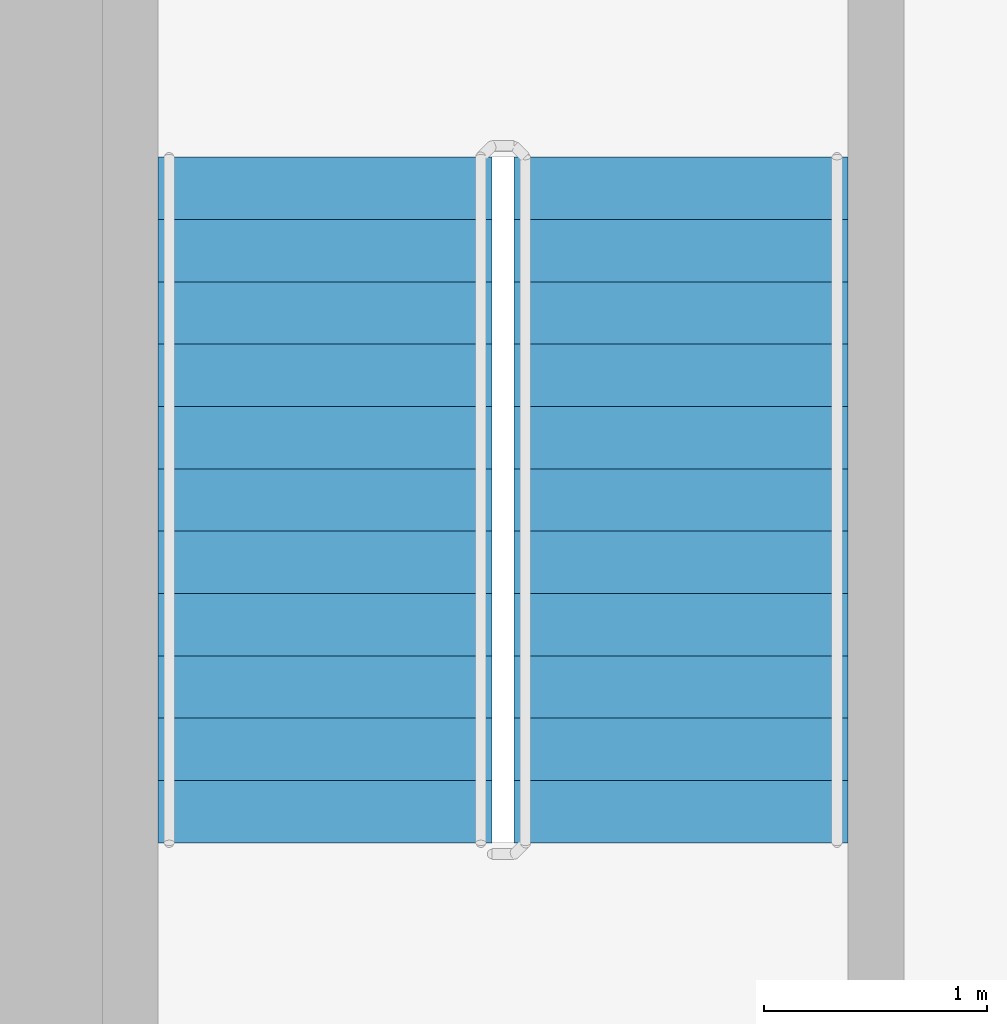
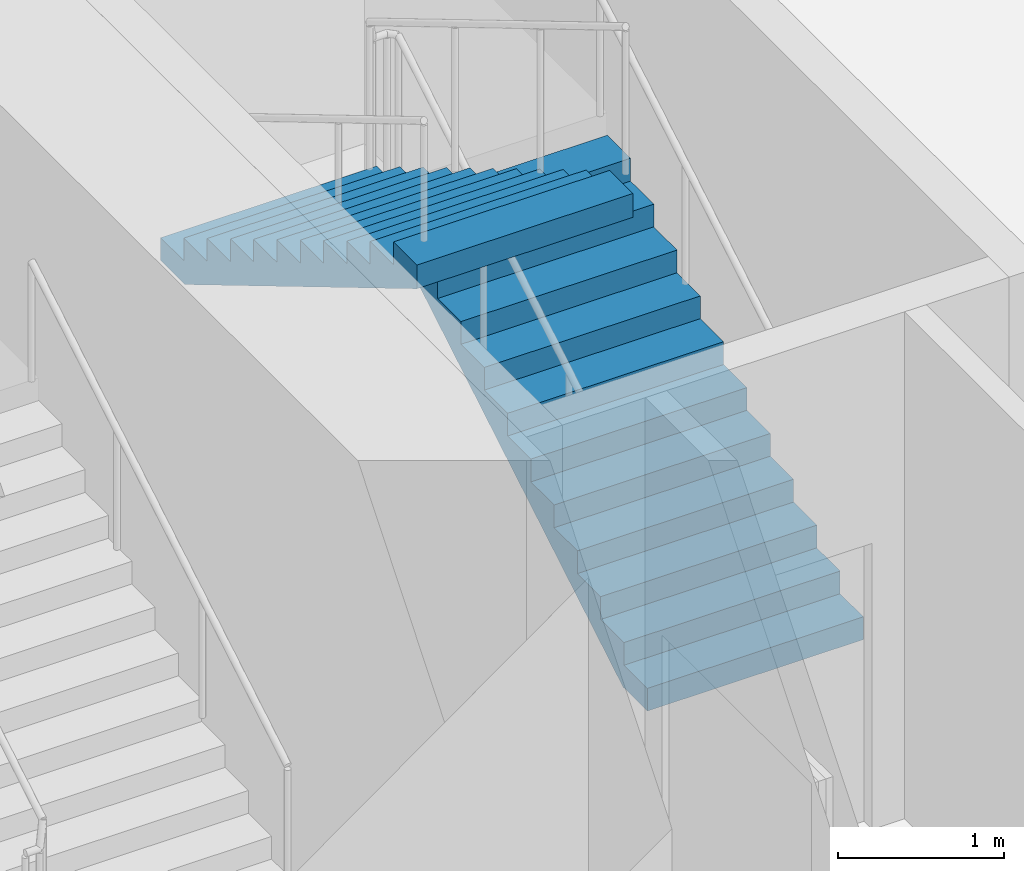
# One storey, part 19 of 28: 2 stair flights, 1 element without a shape of its own.
"""IFC4 building model written with IfcOpenShell, lengths in metres."""

from ifc_helpers import new_model, si_unit, direction, frame, origin, place, context, subcontext, project, spatial, triangles, source, transform, mapped, material, type_object, element, aggregate, save


model = new_model("IFC4")

# Units and contexts
model_context = context("Model", 3, precision=1e-05, world=origin(), true_north=direction((0.0, 1.0)))
body_context = subcontext(model_context, "Body", "Model", "MODEL_VIEW")
ifc_project = project(units=[si_unit("LENGTHUNIT", "METRE"), si_unit("AREAUNIT", "SQUARE_METRE"), si_unit("VOLUMEUNIT", "CUBIC_METRE"), si_unit("PLANEANGLEUNIT", "RADIAN"), si_unit("MASSUNIT", "GRAM", prefix="KILO")], contexts=[model_context])

# Site, building, storey
site_placement = place(None, origin())
site = spatial("IfcSite", under=ifc_project, at=site_placement, CompositionType="ELEMENT")
building_placement = place(site_placement, origin())
building = spatial("IfcBuilding", under=site, at=building_placement, Name="Kilnfold Tower and Market Hall", CompositionType="ELEMENT")
storey_placement = place(building_placement, frame((0.0, 0.0, 87.199951171875)))
storey = spatial("IfcBuildingStorey", under=building, at=storey_placement, Name="L20", CompositionType="ELEMENT", Elevation=87.199951171875)

# Stair, stair flights
ifc_material_1 = material(Name="Concrete C40/50", Category="concrete")
stair_type = type_object("IfcStairType", Name="CORE STAIR 1500", PredefinedType="HALF_TURN_STAIR", material=ifc_material_1)
stair_placement = place(storey_placement, origin())
stair = element("IfcStair", 1, at=stair_placement, inside=storey, type_object=stair_type, Name="L20 ST5", PredefinedType="HALF_TURN_STAIR")
ifc_material_2 = material(Name="Concrete C40/50", Category="concrete")
stair_flight_type = type_object("IfcStairFlightType", Name="CORE STAIR FLIGHT 1500", PredefinedType="STRAIGHT", material=ifc_material_2)
shared_shape = source(origin(), body_context, "Body", "Tessellation", [
    triangles([(0.0, 0.75, 0.0), (0.0, 0.65625, 0.0), (0.0, 0.5625, 0.0), (0.0, 0.46875, 0.0), (0.0, 0.375, 0.0), (0.0, 0.28125, 0.0), (0.0, 0.1875, 0.0), (0.0, 0.09375, 0.0), (0.0, 0.0, 0.0), (0.0, -0.09375, 0.0), (0.0, -0.1875, 0.0), (0.0, -0.28125, 0.0), (0.0, -0.375, 0.0), (0.0, -0.46875, 0.0), (0.0, -0.5625, 0.0), (0.0, -0.65625, 0.0), (0.0, -0.75, 0.0), (0.0, 0.75, 0.166748046875), (0.0, 0.65625, 0.166748046875), (0.0, 0.5625, 0.166748046875), (0.0, 0.46875, 0.166748046875), (0.0, 0.375, 0.166748046875), (0.0, 0.28125, 0.166748046875), (0.0, 0.1875, 0.166748046875), (0.0, 0.09375, 0.166748046875), (0.0, 0.0, 0.166748046875), (0.0, -0.09375, 0.166748046875), (0.0, -0.1875, 0.166748046875), (0.0, -0.28125, 0.166748046875), (0.0, -0.375, 0.166748046875), (0.0, -0.46875, 0.166748046875), (0.0, -0.5625, 0.166748046875), (0.0, -0.65625, 0.166748046875), (0.0, -0.75, 0.166748046875), (0.280029296875, 0.75, 0.166748046875), (0.280029296875, 0.65625, 0.166748046875), (0.280029296875, 0.5625, 0.166748046875), (0.280029296875, 0.46875, 0.166748046875), (0.280029296875, 0.375, 0.166748046875), (0.280029296875, 0.28125, 0.166748046875), (0.280029296875, 0.1875, 0.166748046875), (0.280029296875, 0.09375, 0.166748046875), (0.280029296875, 0.0, 0.166748046875), (0.280029296875, -0.09375, 0.166748046875), (0.280029296875, -0.1875, 0.166748046875), (0.280029296875, -0.28125, 0.166748046875), (0.280029296875, -0.375, 0.166748046875), (0.280029296875, -0.46875, 0.166748046875), (0.280029296875, -0.5625, 0.166748046875), (0.280029296875, -0.65625, 0.166748046875), (0.280029296875, -0.75, 0.166748046875), (0.280029296875, 0.75, 0.333251953125), (0.280029296875, 0.65625, 0.333251953125), (0.280029296875, 0.5625, 0.333251953125), (0.280029296875, 0.46875, 0.333251953125), (0.280029296875, 0.375, 0.333251953125), (0.280029296875, 0.28125, 0.333251953125), (0.280029296875, 0.1875, 0.333251953125), (0.280029296875, 0.09375, 0.333251953125), (0.280029296875, 0.0, 0.333251953125), (0.280029296875, -0.09375, 0.333251953125), (0.280029296875, -0.1875, 0.333251953125), (0.280029296875, -0.28125, 0.333251953125), (0.280029296875, -0.375, 0.333251953125), (0.280029296875, -0.46875, 0.333251953125), (0.280029296875, -0.5625, 0.333251953125), (0.280029296875, -0.65625, 0.333251953125), (0.280029296875, -0.75, 0.333251953125), (0.56005859375, 0.75, 0.333251953125), (0.56005859375, 0.65625, 0.333251953125), (0.56005859375, 0.5625, 0.333251953125), (0.56005859375, 0.46875, 0.333251953125), (0.56005859375, 0.375, 0.333251953125), (0.56005859375, 0.28125, 0.333251953125), (0.56005859375, 0.1875, 0.333251953125), (0.56005859375, 0.09375, 0.333251953125), (0.56005859375, 0.0, 0.333251953125), (0.56005859375, -0.09375, 0.333251953125), (0.56005859375, -0.1875, 0.333251953125), (0.56005859375, -0.28125, 0.333251953125), (0.56005859375, -0.375, 0.333251953125), (0.56005859375, -0.46875, 0.333251953125), (0.56005859375, -0.5625, 0.333251953125), (0.56005859375, -0.65625, 0.333251953125), (0.56005859375, -0.75, 0.333251953125), (0.56005859375, 0.75, 0.5), (0.56005859375, 0.65625, 0.5), (0.56005859375, 0.5625, 0.5), (0.56005859375, 0.46875, 0.5), (0.56005859375, 0.375, 0.5), (0.56005859375, 0.28125, 0.5), (0.56005859375, 0.1875, 0.5), (0.56005859375, 0.09375, 0.5), (0.56005859375, 0.0, 0.5), (0.56005859375, -0.09375, 0.5), (0.56005859375, -0.1875, 0.5), (0.56005859375, -0.28125, 0.5), (0.56005859375, -0.375, 0.5), (0.56005859375, -0.46875, 0.5), (0.56005859375, -0.5625, 0.5), (0.56005859375, -0.65625, 0.5), (0.56005859375, -0.75, 0.5), (0.840087890625, 0.75, 0.5), (0.840087890625, 0.65625, 0.5), (0.840087890625, 0.5625, 0.5), (0.840087890625, 0.46875, 0.5), (0.840087890625, 0.375, 0.5), (0.840087890625, 0.28125, 0.5), (0.840087890625, 0.1875, 0.5), (0.840087890625, 0.09375, 0.5), (0.840087890625, 0.0, 0.5), (0.840087890625, -0.09375, 0.5), (0.840087890625, -0.1875, 0.5), (0.840087890625, -0.28125, 0.5), (0.840087890625, -0.375, 0.5), (0.840087890625, -0.46875, 0.5), (0.840087890625, -0.5625, 0.5), (0.840087890625, -0.65625, 0.5), (0.840087890625, -0.75, 0.5), (0.840087890625, 0.75, 0.666748046875), (0.840087890625, 0.65625, 0.666748046875), (0.840087890625, 0.5625, 0.666748046875), (0.840087890625, 0.46875, 0.666748046875), (0.840087890625, 0.375, 0.666748046875), (0.840087890625, 0.28125, 0.666748046875), (0.840087890625, 0.1875, 0.666748046875), (0.840087890625, 0.09375, 0.666748046875), (0.840087890625, 0.0, 0.666748046875), (0.840087890625, -0.09375, 0.666748046875), (0.840087890625, -0.1875, 0.666748046875), (0.840087890625, -0.28125, 0.666748046875), (0.840087890625, -0.375, 0.666748046875), (0.840087890625, -0.46875, 0.666748046875), (0.840087890625, -0.5625, 0.666748046875), (0.840087890625, -0.65625, 0.666748046875), (0.840087890625, -0.75, 0.666748046875), (1.1201171875, 0.75, 0.666748046875), (1.1201171875, 0.65625, 0.666748046875), (1.1201171875, 0.5625, 0.666748046875), (1.1201171875, 0.46875, 0.666748046875), (1.1201171875, 0.375, 0.666748046875), (1.1201171875, 0.28125, 0.666748046875), (1.1201171875, 0.1875, 0.666748046875), (1.1201171875, 0.09375, 0.666748046875), (1.1201171875, 0.0, 0.666748046875), (1.1201171875, -0.09375, 0.666748046875), (1.1201171875, -0.1875, 0.666748046875), (1.1201171875, -0.28125, 0.666748046875), (1.1201171875, -0.375, 0.666748046875), (1.1201171875, -0.46875, 0.666748046875), (1.1201171875, -0.5625, 0.666748046875), (1.1201171875, -0.65625, 0.666748046875), (1.1201171875, -0.75, 0.666748046875), (1.1201171875, 0.75, 0.833251953125), (1.1201171875, 0.65625, 0.833251953125), (1.1201171875, 0.5625, 0.833251953125), (1.1201171875, 0.46875, 0.833251953125), (1.1201171875, 0.375, 0.833251953125), (1.1201171875, 0.28125, 0.833251953125), (1.1201171875, 0.1875, 0.833251953125), (1.1201171875, 0.09375, 0.833251953125), (1.1201171875, 0.0, 0.833251953125), (1.1201171875, -0.09375, 0.833251953125), (1.1201171875, -0.1875, 0.833251953125), (1.1201171875, -0.28125, 0.833251953125), (1.1201171875, -0.375, 0.833251953125), (1.1201171875, -0.46875, 0.833251953125), (1.1201171875, -0.5625, 0.833251953125), (1.1201171875, -0.65625, 0.833251953125), (1.1201171875, -0.75, 0.833251953125), (1.39990234375, 0.75, 0.833251953125), (1.39990234375, 0.65625, 0.833251953125), (1.39990234375, 0.5625, 0.833251953125), (1.39990234375, 0.46875, 0.833251953125), (1.39990234375, 0.375, 0.833251953125), (1.39990234375, 0.28125, 0.833251953125), (1.39990234375, 0.1875, 0.833251953125), (1.39990234375, 0.09375, 0.833251953125), (1.39990234375, 0.0, 0.833251953125), (1.39990234375, -0.09375, 0.833251953125), (1.39990234375, -0.1875, 0.833251953125), (1.39990234375, -0.28125, 0.833251953125), (1.39990234375, -0.375, 0.833251953125), (1.39990234375, -0.46875, 0.833251953125), (1.39990234375, -0.5625, 0.833251953125), (1.39990234375, -0.65625, 0.833251953125), (1.39990234375, -0.75, 0.833251953125), (1.39990234375, 0.75, 1.0), (1.39990234375, 0.65625, 1.0), (1.39990234375, 0.5625, 1.0), (1.39990234375, 0.46875, 1.0), (1.39990234375, 0.375, 1.0), (1.39990234375, 0.28125, 1.0), (1.39990234375, 0.1875, 1.0), (1.39990234375, 0.09375, 1.0), (1.39990234375, 0.0, 1.0), (1.39990234375, -0.09375, 1.0), (1.39990234375, -0.1875, 1.0), (1.39990234375, -0.28125, 1.0), (1.39990234375, -0.375, 1.0), (1.39990234375, -0.46875, 1.0), (1.39990234375, -0.5625, 1.0), (1.39990234375, -0.65625, 1.0), (1.39990234375, -0.75, 1.0), (1.679931640625, 0.75, 1.0), (1.679931640625, 0.65625, 1.0), (1.679931640625, 0.5625, 1.0), (1.679931640625, 0.46875, 1.0), (1.679931640625, 0.375, 1.0), (1.679931640625, 0.28125, 1.0), (1.679931640625, 0.1875, 1.0), (1.679931640625, 0.09375, 1.0), (1.679931640625, 0.0, 1.0), (1.679931640625, -0.09375, 1.0), (1.679931640625, -0.1875, 1.0), (1.679931640625, -0.28125, 1.0), (1.679931640625, -0.375, 1.0), (1.679931640625, -0.46875, 1.0), (1.679931640625, -0.5625, 1.0), (1.679931640625, -0.65625, 1.0), (1.679931640625, -0.75, 1.0), (1.679931640625, 0.75, 1.166748046875), (1.679931640625, 0.65625, 1.166748046875), (1.679931640625, 0.5625, 1.166748046875), (1.679931640625, 0.46875, 1.166748046875), (1.679931640625, 0.375, 1.166748046875), (1.679931640625, 0.28125, 1.166748046875), (1.679931640625, 0.1875, 1.166748046875), (1.679931640625, 0.09375, 1.166748046875), (1.679931640625, 0.0, 1.166748046875), (1.679931640625, -0.09375, 1.166748046875), (1.679931640625, -0.1875, 1.166748046875), (1.679931640625, -0.28125, 1.166748046875), (1.679931640625, -0.375, 1.166748046875), (1.679931640625, -0.46875, 1.166748046875), (1.679931640625, -0.5625, 1.166748046875), (1.679931640625, -0.65625, 1.166748046875), (1.679931640625, -0.75, 1.166748046875), (1.9599609375, 0.75, 1.166748046875), (1.9599609375, 0.65625, 1.166748046875), (1.9599609375, 0.5625, 1.166748046875), (1.9599609375, 0.46875, 1.166748046875), (1.9599609375, 0.375, 1.166748046875), (1.9599609375, 0.28125, 1.166748046875), (1.9599609375, 0.1875, 1.166748046875), (1.9599609375, 0.09375, 1.166748046875), (1.9599609375, 0.0, 1.166748046875), (1.9599609375, -0.09375, 1.166748046875), (1.9599609375, -0.1875, 1.166748046875), (1.9599609375, -0.28125, 1.166748046875), (1.9599609375, -0.375, 1.166748046875), (1.9599609375, -0.46875, 1.166748046875), (1.9599609375, -0.5625, 1.166748046875), (1.9599609375, -0.65625, 1.166748046875), (1.9599609375, -0.75, 1.166748046875), (1.9599609375, 0.75, 1.333251953125), (1.9599609375, 0.65625, 1.333251953125), (1.9599609375, 0.5625, 1.333251953125), (1.9599609375, 0.46875, 1.333251953125), (1.9599609375, 0.375, 1.333251953125), (1.9599609375, 0.28125, 1.333251953125), (1.9599609375, 0.1875, 1.333251953125), (1.9599609375, 0.09375, 1.333251953125), (1.9599609375, 0.0, 1.333251953125), (1.9599609375, -0.09375, 1.333251953125), (1.9599609375, -0.1875, 1.333251953125), (1.9599609375, -0.28125, 1.333251953125), (1.9599609375, -0.375, 1.333251953125), (1.9599609375, -0.46875, 1.333251953125), (1.9599609375, -0.5625, 1.333251953125), (1.9599609375, -0.65625, 1.333251953125), (1.9599609375, -0.75, 1.333251953125), (2.239990234375, 0.75, 1.333251953125), (2.239990234375, 0.65625, 1.333251953125), (2.239990234375, 0.5625, 1.333251953125), (2.239990234375, 0.46875, 1.333251953125), (2.239990234375, 0.375, 1.333251953125), (2.239990234375, 0.28125, 1.333251953125), (2.239990234375, 0.1875, 1.333251953125), (2.239990234375, 0.09375, 1.333251953125), (2.239990234375, 0.0, 1.333251953125), (2.239990234375, -0.09375, 1.333251953125), (2.239990234375, -0.1875, 1.333251953125), (2.239990234375, -0.28125, 1.333251953125), (2.239990234375, -0.375, 1.333251953125), (2.239990234375, -0.46875, 1.333251953125), (2.239990234375, -0.5625, 1.333251953125), (2.239990234375, -0.65625, 1.333251953125), (2.239990234375, -0.75, 1.333251953125), (2.239990234375, 0.75, 1.5), (2.239990234375, 0.65625, 1.5), (2.239990234375, 0.5625, 1.5), (2.239990234375, 0.46875, 1.5), (2.239990234375, 0.375, 1.5), (2.239990234375, 0.28125, 1.5), (2.239990234375, 0.1875, 1.5), (2.239990234375, 0.09375, 1.5), (2.239990234375, 0.0, 1.5), (2.239990234375, -0.09375, 1.5), (2.239990234375, -0.1875, 1.5), (2.239990234375, -0.28125, 1.5), (2.239990234375, -0.375, 1.5), (2.239990234375, -0.46875, 1.5), (2.239990234375, -0.5625, 1.5), (2.239990234375, -0.65625, 1.5), (2.239990234375, -0.75, 1.5), (2.52001953125, 0.75, 1.5), (2.52001953125, 0.65625, 1.5), (2.52001953125, 0.5625, 1.5), (2.52001953125, 0.46875, 1.5), (2.52001953125, 0.375, 1.5), (2.52001953125, 0.28125, 1.5), (2.52001953125, 0.1875, 1.5), (2.52001953125, 0.09375, 1.5), (2.52001953125, 0.0, 1.5), (2.52001953125, -0.09375, 1.5), (2.52001953125, -0.1875, 1.5), (2.52001953125, -0.28125, 1.5), (2.52001953125, -0.375, 1.5), (2.52001953125, -0.46875, 1.5), (2.52001953125, -0.5625, 1.5), (2.52001953125, -0.65625, 1.5), (2.52001953125, -0.75, 1.5), (2.52001953125, 0.75, 1.666748046875), (2.52001953125, 0.65625, 1.666748046875), (2.52001953125, 0.5625, 1.666748046875), (2.52001953125, 0.46875, 1.666748046875), (2.52001953125, 0.375, 1.666748046875), (2.52001953125, 0.28125, 1.666748046875), (2.52001953125, 0.1875, 1.666748046875), (2.52001953125, 0.09375, 1.666748046875), (2.52001953125, 0.0, 1.666748046875), (2.52001953125, -0.09375, 1.666748046875), (2.52001953125, -0.1875, 1.666748046875), (2.52001953125, -0.28125, 1.666748046875), (2.52001953125, -0.375, 1.666748046875), (2.52001953125, -0.46875, 1.666748046875), (2.52001953125, -0.5625, 1.666748046875), (2.52001953125, -0.65625, 1.666748046875), (2.52001953125, -0.75, 1.666748046875), (2.800048828125, 0.75, 1.666748046875), (2.800048828125, 0.65625, 1.666748046875), (2.800048828125, 0.5625, 1.666748046875), (2.800048828125, 0.46875, 1.666748046875), (2.800048828125, 0.375, 1.666748046875), (2.800048828125, 0.28125, 1.666748046875), (2.800048828125, 0.1875, 1.666748046875), (2.800048828125, 0.09375, 1.666748046875), (2.800048828125, 0.0, 1.666748046875), (2.800048828125, -0.09375, 1.666748046875), (2.800048828125, -0.1875, 1.666748046875), (2.800048828125, -0.28125, 1.666748046875), (2.800048828125, -0.375, 1.666748046875), (2.800048828125, -0.46875, 1.666748046875), (2.800048828125, -0.5625, 1.666748046875), (2.800048828125, -0.65625, 1.666748046875), (2.800048828125, -0.75, 1.666748046875), (2.800048828125, 0.75, 1.833251953125), (2.800048828125, 0.65625, 1.833251953125), (2.800048828125, 0.5625, 1.833251953125), (2.800048828125, 0.46875, 1.833251953125), (2.800048828125, 0.375, 1.833251953125), (2.800048828125, 0.28125, 1.833251953125), (2.800048828125, 0.1875, 1.833251953125), (2.800048828125, 0.09375, 1.833251953125), (2.800048828125, 0.0, 1.833251953125), (2.800048828125, -0.09375, 1.833251953125), (2.800048828125, -0.1875, 1.833251953125), (2.800048828125, -0.28125, 1.833251953125), (2.800048828125, -0.375, 1.833251953125), (2.800048828125, -0.46875, 1.833251953125), (2.800048828125, -0.5625, 1.833251953125), (2.800048828125, -0.65625, 1.833251953125), (2.800048828125, -0.75, 1.833251953125), (3.080078125, 0.75, 1.833251953125), (3.080078125, 0.65625, 1.833251953125), (3.080078125, 0.5625, 1.833251953125), (3.080078125, 0.46875, 1.833251953125), (3.080078125, 0.375, 1.833251953125), (3.080078125, 0.28125, 1.833251953125), (3.080078125, 0.1875, 1.833251953125), (3.080078125, 0.09375, 1.833251953125), (3.080078125, 0.0, 1.833251953125), (3.080078125, -0.09375, 1.833251953125), (3.080078125, -0.1875, 1.833251953125), (3.080078125, -0.28125, 1.833251953125), (3.080078125, -0.375, 1.833251953125), (3.080078125, -0.46875, 1.833251953125), (3.080078125, -0.5625, 1.833251953125), (3.080078125, -0.65625, 1.833251953125), (3.080078125, -0.75, 1.833251953125), (3.080078125, 0.75, 1.658935546875), (3.080078125, 0.65625, 1.658935546875), (3.080078125, 0.5625, 1.658935546875), (3.080078125, 0.46875, 1.658935546875), (3.080078125, 0.375, 1.658935546875), (3.080078125, 0.28125, 1.658935546875), (3.080078125, 0.1875, 1.658935546875), (3.080078125, 0.09375, 1.658935546875), (3.080078125, 0.0, 1.658935546875), (3.080078125, -0.09375, 1.658935546875), (3.080078125, -0.1875, 1.658935546875), (3.080078125, -0.28125, 1.658935546875), (3.080078125, -0.375, 1.658935546875), (3.080078125, -0.46875, 1.658935546875), (3.080078125, -0.5625, 1.658935546875), (3.080078125, -0.65625, 1.658935546875), (3.080078125, -0.75, 1.658935546875), (0.29296875, 0.75, 0.0), (0.29296875, 0.65625, 0.0), (0.29296875, 0.5625, 0.0), (0.29296875, 0.46875, 0.0), (0.29296875, 0.375, 0.0), (0.29296875, 0.28125, 0.0), (0.29296875, 0.1875, 0.0), (0.29296875, 0.09375, 0.0), (0.29296875, 0.0, 0.0), (0.29296875, -0.09375, 0.0), (0.29296875, -0.1875, 0.0), (0.29296875, -0.28125, 0.0), (0.29296875, -0.375, 0.0), (0.29296875, -0.46875, 0.0), (0.29296875, -0.5625, 0.0), (0.29296875, -0.65625, 0.0), (0.29296875, -0.75, 0.0)], [[1, 392, 409], [17, 425, 408], [392, 358, 375], [408, 391, 374], [392, 341, 358], [408, 374, 357], [392, 324, 341], [408, 357, 340], [392, 307, 324], [408, 340, 323], [307, 273, 290], [323, 306, 289], [392, 273, 307], [408, 323, 289], [273, 239, 256], [289, 272, 255], [392, 239, 273], [408, 289, 255], [239, 205, 222], [255, 238, 221], [392, 205, 239], [408, 255, 221], [205, 171, 188], [221, 204, 187], [392, 171, 205], [408, 221, 187], [171, 137, 154], [187, 170, 153], [392, 137, 171], [408, 187, 153], [137, 103, 120], [153, 136, 119], [392, 103, 137], [408, 153, 119], [103, 69, 86], [119, 102, 85], [392, 69, 103], [408, 119, 85], [1, 69, 392], [17, 408, 85], [69, 35, 52], [85, 68, 51], [1, 35, 69], [17, 85, 51], [35, 1, 18], [51, 34, 17], [1, 19, 18], [1, 2, 19], [2, 20, 19], [2, 3, 20], [3, 21, 20], [3, 4, 21], [4, 22, 21], [4, 5, 22], [5, 23, 22], [5, 6, 23], [6, 24, 23], [6, 7, 24], [7, 25, 24], [7, 8, 25], [8, 26, 25], [8, 9, 26], [9, 27, 26], [9, 10, 27], [10, 28, 27], [10, 11, 28], [11, 29, 28], [11, 12, 29], [12, 30, 29], [12, 13, 30], [13, 31, 30], [13, 14, 31], [14, 32, 31], [14, 15, 32], [15, 33, 32], [15, 16, 33], [16, 34, 33], [16, 17, 34], [18, 36, 35], [18, 19, 36], [19, 37, 36], [19, 20, 37], [20, 38, 37], [20, 21, 38], [21, 39, 38], [21, 22, 39], [22, 40, 39], [22, 23, 40], [23, 41, 40], [23, 24, 41], [24, 42, 41], [24, 25, 42], [25, 43, 42], [25, 26, 43], [26, 44, 43], [26, 27, 44], [27, 45, 44], [27, 28, 45], [28, 46, 45], [28, 29, 46], [29, 47, 46], [29, 30, 47], [30, 48, 47], [30, 31, 48], [31, 49, 48], [31, 32, 49], [32, 50, 49], [32, 33, 50], [33, 51, 50], [33, 34, 51], [35, 53, 52], [35, 36, 53], [36, 54, 53], [36, 37, 54], [37, 55, 54], [37, 38, 55], [38, 56, 55], [38, 39, 56], [39, 57, 56], [39, 40, 57], [40, 58, 57], [40, 41, 58], [41, 59, 58], [41, 42, 59], [42, 60, 59], [42, 43, 60], [43, 61, 60], [43, 44, 61], [44, 62, 61], [44, 45, 62], [45, 63, 62], [45, 46, 63], [46, 64, 63], [46, 47, 64], [47, 65, 64], [47, 48, 65], [48, 66, 65], [48, 49, 66], [49, 67, 66], [49, 50, 67], [50, 68, 67], [50, 51, 68], [52, 70, 69], [52, 53, 70], [53, 71, 70], [53, 54, 71], [54, 72, 71], [54, 55, 72], [55, 73, 72], [55, 56, 73], [56, 74, 73], [56, 57, 74], [57, 75, 74], [57, 58, 75], [58, 76, 75], [58, 59, 76], [59, 77, 76], [59, 60, 77], [60, 78, 77], [60, 61, 78], [61, 79, 78], [61, 62, 79], [62, 80, 79], [62, 63, 80], [63, 81, 80], [63, 64, 81], [64, 82, 81], [64, 65, 82], [65, 83, 82], [65, 66, 83], [66, 84, 83], [66, 67, 84], [67, 85, 84], [67, 68, 85], [69, 87, 86], [69, 70, 87], [70, 88, 87], [70, 71, 88], [71, 89, 88], [71, 72, 89], [72, 90, 89], [72, 73, 90], [73, 91, 90], [73, 74, 91], [74, 92, 91], [74, 75, 92], [75, 93, 92], [75, 76, 93], [76, 94, 93], [76, 77, 94], [77, 95, 94], [77, 78, 95], [78, 96, 95], [78, 79, 96], [79, 97, 96], [79, 80, 97], [80, 98, 97], [80, 81, 98], [81, 99, 98], [81, 82, 99], [82, 100, 99], [82, 83, 100], [83, 101, 100], [83, 84, 101], [84, 102, 101], [84, 85, 102], [86, 104, 103], [86, 87, 104], [87, 105, 104], [87, 88, 105], [88, 106, 105], [88, 89, 106], [89, 107, 106], [89, 90, 107], [90, 108, 107], [90, 91, 108], [91, 109, 108], [91, 92, 109], [92, 110, 109], [92, 93, 110], [93, 111, 110], [93, 94, 111], [94, 112, 111], [94, 95, 112], [95, 113, 112], [95, 96, 113], [96, 114, 113], [96, 97, 114], [97, 115, 114], [97, 98, 115], [98, 116, 115], [98, 99, 116], [99, 117, 116], [99, 100, 117], [100, 118, 117], [100, 101, 118], [101, 119, 118], [101, 102, 119], [103, 121, 120], [103, 104, 121], [104, 122, 121], [104, 105, 122], [105, 123, 122], [105, 106, 123], [106, 124, 123], [106, 107, 124], [107, 125, 124], [107, 108, 125], [108, 126, 125], [108, 109, 126], [109, 127, 126], [109, 110, 127], [110, 128, 127], [110, 111, 128], [111, 129, 128], [111, 112, 129], [112, 130, 129], [112, 113, 130], [113, 131, 130], [113, 114, 131], [114, 132, 131], [114, 115, 132], [115, 133, 132], [115, 116, 133], [116, 134, 133], [116, 117, 134], [117, 135, 134], [117, 118, 135], [118, 136, 135], [118, 119, 136], [120, 138, 137], [120, 121, 138], [121, 139, 138], [121, 122, 139], [122, 140, 139], [122, 123, 140], [123, 141, 140], [123, 124, 141], [124, 142, 141], [124, 125, 142], [125, 143, 142], [125, 126, 143], [126, 144, 143], [126, 127, 144], [127, 145, 144], [127, 128, 145], [128, 146, 145], [128, 129, 146], [129, 147, 146], [129, 130, 147], [130, 148, 147], [130, 131, 148], [131, 149, 148], [131, 132, 149], [132, 150, 149], [132, 133, 150], [133, 151, 150], [133, 134, 151], [134, 152, 151], [134, 135, 152], [135, 153, 152], [135, 136, 153], [137, 155, 154], [137, 138, 155], [138, 156, 155], [138, 139, 156], [139, 157, 156], [139, 140, 157], [140, 158, 157], [140, 141, 158], [141, 159, 158], [141, 142, 159], [142, 160, 159], [142, 143, 160], [143, 161, 160], [143, 144, 161], [144, 162, 161], [144, 145, 162], [145, 163, 162], [145, 146, 163], [146, 164, 163], [146, 147, 164], [147, 165, 164], [147, 148, 165], [148, 166, 165], [148, 149, 166], [149, 167, 166], [149, 150, 167], [150, 168, 167], [150, 151, 168], [151, 169, 168], [151, 152, 169], [152, 170, 169], [152, 153, 170], [154, 172, 171], [154, 155, 172], [155, 173, 172], [155, 156, 173], [156, 174, 173], [156, 157, 174], [157, 175, 174], [157, 158, 175], [158, 176, 175], [158, 159, 176], [159, 177, 176], [159, 160, 177], [160, 178, 177], [160, 161, 178], [161, 179, 178], [161, 162, 179], [162, 180, 179], [162, 163, 180], [163, 181, 180], [163, 164, 181], [164, 182, 181], [164, 165, 182], [165, 183, 182], [165, 166, 183], [166, 184, 183], [166, 167, 184], [167, 185, 184], [167, 168, 185], [168, 186, 185], [168, 169, 186], [169, 187, 186], [169, 170, 187], [171, 189, 188], [171, 172, 189], [172, 190, 189], [172, 173, 190], [173, 191, 190], [173, 174, 191], [174, 192, 191], [174, 175, 192], [175, 193, 192], [175, 176, 193], [176, 194, 193], [176, 177, 194], [177, 195, 194], [177, 178, 195], [178, 196, 195], [178, 179, 196], [179, 197, 196], [179, 180, 197], [180, 198, 197], [180, 181, 198], [181, 199, 198], [181, 182, 199], [182, 200, 199], [182, 183, 200], [183, 201, 200], [183, 184, 201], [184, 202, 201], [184, 185, 202], [185, 203, 202], [185, 186, 203], [186, 204, 203], [186, 187, 204], [188, 206, 205], [188, 189, 206], [189, 207, 206], [189, 190, 207], [190, 208, 207], [190, 191, 208], [191, 209, 208], [191, 192, 209], [192, 210, 209], [192, 193, 210], [193, 211, 210], [193, 194, 211], [194, 212, 211], [194, 195, 212], [195, 213, 212], [195, 196, 213], [196, 214, 213], [196, 197, 214], [197, 215, 214], [197, 198, 215], [198, 216, 215], [198, 199, 216], [199, 217, 216], [199, 200, 217], [200, 218, 217], [200, 201, 218], [201, 219, 218], [201, 202, 219], [202, 220, 219], [202, 203, 220], [203, 221, 220], [203, 204, 221], [205, 223, 222], [205, 206, 223], [206, 224, 223], [206, 207, 224], [207, 225, 224], [207, 208, 225], [208, 226, 225], [208, 209, 226], [209, 227, 226], [209, 210, 227], [210, 228, 227], [210, 211, 228], [211, 229, 228], [211, 212, 229], [212, 230, 229], [212, 213, 230], [213, 231, 230], [213, 214, 231], [214, 232, 231], [214, 215, 232], [215, 233, 232], [215, 216, 233], [216, 234, 233], [216, 217, 234], [217, 235, 234], [217, 218, 235], [218, 236, 235], [218, 219, 236], [219, 237, 236], [219, 220, 237], [220, 238, 237], [220, 221, 238], [222, 240, 239], [222, 223, 240], [223, 241, 240], [223, 224, 241], [224, 242, 241], [224, 225, 242], [225, 243, 242], [225, 226, 243], [226, 244, 243], [226, 227, 244], [227, 245, 244], [227, 228, 245], [228, 246, 245], [228, 229, 246], [229, 247, 246], [229, 230, 247], [230, 248, 247], [230, 231, 248], [231, 249, 248], [231, 232, 249], [232, 250, 249], [232, 233, 250], [233, 251, 250], [233, 234, 251], [234, 252, 251], [234, 235, 252], [235, 253, 252], [235, 236, 253], [236, 254, 253], [236, 237, 254], [237, 255, 254], [237, 238, 255], [239, 257, 256], [239, 240, 257], [240, 258, 257], [240, 241, 258], [241, 259, 258], [241, 242, 259], [242, 260, 259], [242, 243, 260], [243, 261, 260], [243, 244, 261], [244, 262, 261], [244, 245, 262], [245, 263, 262], [245, 246, 263], [246, 264, 263], [246, 247, 264], [247, 265, 264], [247, 248, 265], [248, 266, 265], [248, 249, 266], [249, 267, 266], [249, 250, 267], [250, 268, 267], [250, 251, 268], [251, 269, 268], [251, 252, 269], [252, 270, 269], [252, 253, 270], [253, 271, 270], [253, 254, 271], [254, 272, 271], [254, 255, 272], [256, 274, 273], [256, 257, 274], [257, 275, 274], [257, 258, 275], [258, 276, 275], [258, 259, 276], [259, 277, 276], [259, 260, 277], [260, 278, 277], [260, 261, 278], [261, 279, 278], [261, 262, 279], [262, 280, 279], [262, 263, 280], [263, 281, 280], [263, 264, 281], [264, 282, 281], [264, 265, 282], [265, 283, 282], [265, 266, 283], [266, 284, 283], [266, 267, 284], [267, 285, 284], [267, 268, 285], [268, 286, 285], [268, 269, 286], [269, 287, 286], [269, 270, 287], [270, 288, 287], [270, 271, 288], [271, 289, 288], [271, 272, 289], [273, 291, 290], [273, 274, 291], [274, 292, 291], [274, 275, 292], [275, 293, 292], [275, 276, 293], [276, 294, 293], [276, 277, 294], [277, 295, 294], [277, 278, 295], [278, 296, 295], [278, 279, 296], [279, 297, 296], [279, 280, 297], [280, 298, 297], [280, 281, 298], [281, 299, 298], [281, 282, 299], [282, 300, 299], [282, 283, 300], [283, 301, 300], [283, 284, 301], [284, 302, 301], [284, 285, 302], [285, 303, 302], [285, 286, 303], [286, 304, 303], [286, 287, 304], [287, 305, 304], [287, 288, 305], [288, 306, 305], [288, 289, 306], [290, 308, 307], [290, 291, 308], [291, 309, 308], [291, 292, 309], [292, 310, 309], [292, 293, 310], [293, 311, 310], [293, 294, 311], [294, 312, 311], [294, 295, 312], [295, 313, 312], [295, 296, 313], [296, 314, 313], [296, 297, 314], [297, 315, 314], [297, 298, 315], [298, 316, 315], [298, 299, 316], [299, 317, 316], [299, 300, 317], [300, 318, 317], [300, 301, 318], [301, 319, 318], [301, 302, 319], [302, 320, 319], [302, 303, 320], [303, 321, 320], [303, 304, 321], [304, 322, 321], [304, 305, 322], [305, 323, 322], [305, 306, 323], [307, 325, 324], [307, 308, 325], [308, 326, 325], [308, 309, 326], [309, 327, 326], [309, 310, 327], [310, 328, 327], [310, 311, 328], [311, 329, 328], [311, 312, 329], [312, 330, 329], [312, 313, 330], [313, 331, 330], [313, 314, 331], [314, 332, 331], [314, 315, 332], [315, 333, 332], [315, 316, 333], [316, 334, 333], [316, 317, 334], [317, 335, 334], [317, 318, 335], [318, 336, 335], [318, 319, 336], [319, 337, 336], [319, 320, 337], [320, 338, 337], [320, 321, 338], [321, 339, 338], [321, 322, 339], [322, 340, 339], [322, 323, 340], [324, 342, 341], [324, 325, 342], [325, 343, 342], [325, 326, 343], [326, 344, 343], [326, 327, 344], [327, 345, 344], [327, 328, 345], [328, 346, 345], [328, 329, 346], [329, 347, 346], [329, 330, 347], [330, 348, 347], [330, 331, 348], [331, 349, 348], [331, 332, 349], [332, 350, 349], [332, 333, 350], [333, 351, 350], [333, 334, 351], [334, 352, 351], [334, 335, 352], [335, 353, 352], [335, 336, 353], [336, 354, 353], [336, 337, 354], [337, 355, 354], [337, 338, 355], [338, 356, 355], [338, 339, 356], [339, 357, 356], [339, 340, 357], [341, 359, 358], [341, 342, 359], [342, 360, 359], [342, 343, 360], [343, 361, 360], [343, 344, 361], [344, 362, 361], [344, 345, 362], [345, 363, 362], [345, 346, 363], [346, 364, 363], [346, 347, 364], [347, 365, 364], [347, 348, 365], [348, 366, 365], [348, 349, 366], [349, 367, 366], [349, 350, 367], [350, 368, 367], [350, 351, 368], [351, 369, 368], [351, 352, 369], [352, 370, 369], [352, 353, 370], [353, 371, 370], [353, 354, 371], [354, 372, 371], [354, 355, 372], [355, 373, 372], [355, 356, 373], [356, 374, 373], [356, 357, 374], [358, 376, 375], [358, 359, 376], [359, 377, 376], [359, 360, 377], [360, 378, 377], [360, 361, 378], [361, 379, 378], [361, 362, 379], [362, 380, 379], [362, 363, 380], [363, 381, 380], [363, 364, 381], [364, 382, 381], [364, 365, 382], [365, 383, 382], [365, 366, 383], [366, 384, 383], [366, 367, 384], [367, 385, 384], [367, 368, 385], [368, 386, 385], [368, 369, 386], [369, 387, 386], [369, 370, 387], [370, 388, 387], [370, 371, 388], [371, 389, 388], [371, 372, 389], [372, 390, 389], [372, 373, 390], [373, 391, 390], [373, 374, 391], [375, 393, 392], [375, 376, 393], [376, 394, 393], [376, 377, 394], [377, 395, 394], [377, 378, 395], [378, 396, 395], [378, 379, 396], [379, 397, 396], [379, 380, 397], [380, 398, 397], [380, 381, 398], [381, 399, 398], [381, 382, 399], [382, 400, 399], [382, 383, 400], [383, 401, 400], [383, 384, 401], [384, 402, 401], [384, 385, 402], [385, 403, 402], [385, 386, 403], [386, 404, 403], [386, 387, 404], [387, 405, 404], [387, 388, 405], [388, 406, 405], [388, 389, 406], [389, 407, 406], [389, 390, 407], [390, 408, 407], [390, 391, 408], [392, 410, 409], [392, 393, 410], [393, 411, 410], [393, 394, 411], [394, 412, 411], [394, 395, 412], [395, 413, 412], [395, 396, 413], [396, 414, 413], [396, 397, 414], [397, 415, 414], [397, 398, 415], [398, 416, 415], [398, 399, 416], [399, 417, 416], [399, 400, 417], [400, 418, 417], [400, 401, 418], [401, 419, 418], [401, 402, 419], [402, 420, 419], [402, 403, 420], [403, 421, 420], [403, 404, 421], [404, 422, 421], [404, 405, 422], [405, 423, 422], [405, 406, 423], [406, 424, 423], [406, 407, 424], [407, 425, 424], [407, 408, 425], [409, 2, 1], [409, 410, 2], [410, 3, 2], [410, 411, 3], [411, 4, 3], [411, 412, 4], [412, 5, 4], [412, 413, 5], [413, 6, 5], [413, 414, 6], [414, 7, 6], [414, 415, 7], [415, 8, 7], [415, 416, 8], [416, 9, 8], [416, 417, 9], [417, 10, 9], [417, 418, 10], [418, 11, 10], [418, 419, 11], [419, 12, 11], [419, 420, 12], [420, 13, 12], [420, 421, 13], [421, 14, 13], [421, 422, 14], [422, 15, 14], [422, 423, 15], [423, 16, 15], [423, 424, 16], [424, 17, 16], [424, 425, 17]], closed=True),
])
stair_flight_1_placement = place(storey_placement, frame((20.699951171875, 11.5, 0.0), z_axis=(0.0, 0.0, 1.0), x_axis=(0.0, 1.0, 0.0)))
stair_flight_1 = element("IfcStairFlight", 2, at=stair_flight_1_placement, type_object=stair_flight_type, Name="ST5 flight 1", NumberOfRisers=12, NumberOfTreads=11, PredefinedType="STRAIGHT", RiserHeight=0.166666667, TreadLength=0.28, context=body_context, shape_type="MappedRepresentation", body=[
    mapped(shared_shape, transform((0.0, 0.0, 0.0))),
])
stair_flight_2_placement = place(storey_placement, frame((19.10009765625, 14.580078125, 2.0), z_axis=(0.0, 0.0, 1.0), x_axis=(0.0, -1.0, 0.0)))
stair_flight_2 = element("IfcStairFlight", 3, at=stair_flight_2_placement, type_object=stair_flight_type, Name="ST5 flight 2", NumberOfRisers=12, NumberOfTreads=11, PredefinedType="STRAIGHT", RiserHeight=0.166666667, TreadLength=0.28, context=body_context, shape_type="MappedRepresentation", body=[
    mapped(shared_shape, transform((0.0, 0.0, 0.0))),
])
aggregate(stair, [stair_flight_1, stair_flight_2])

save(model, "model.ifc")
